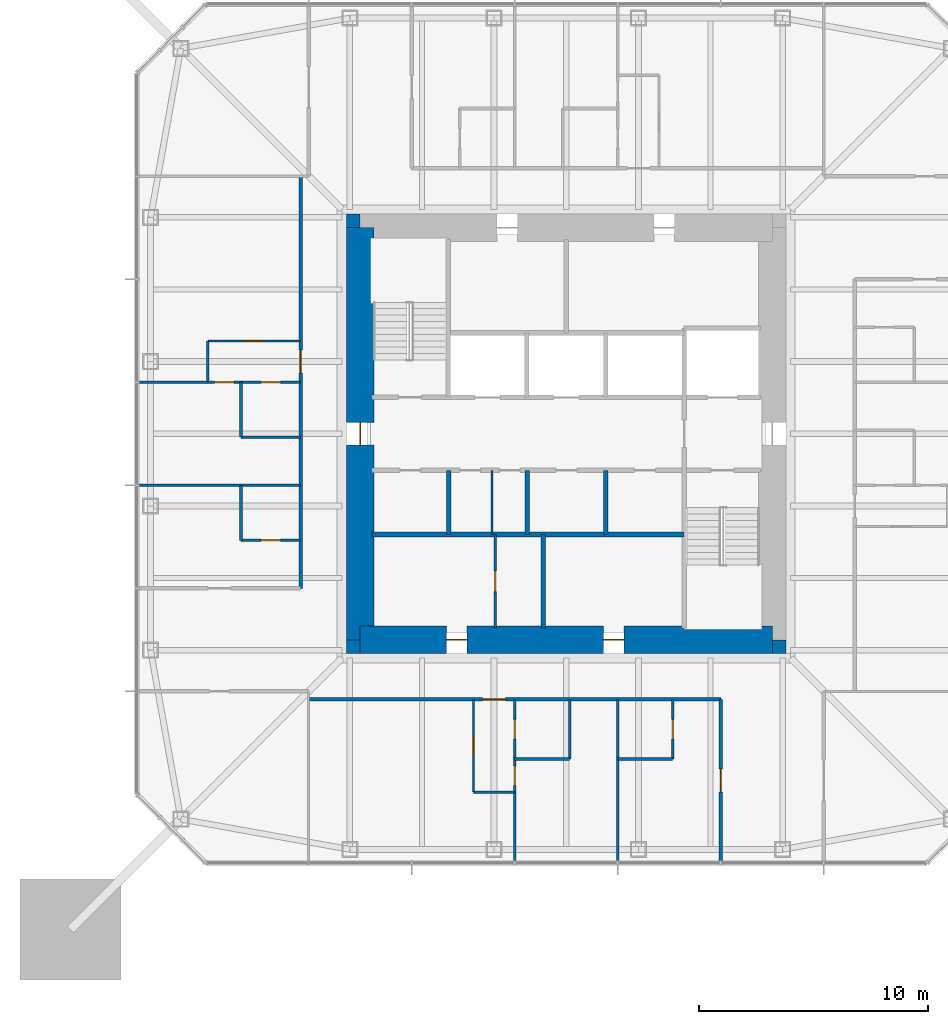
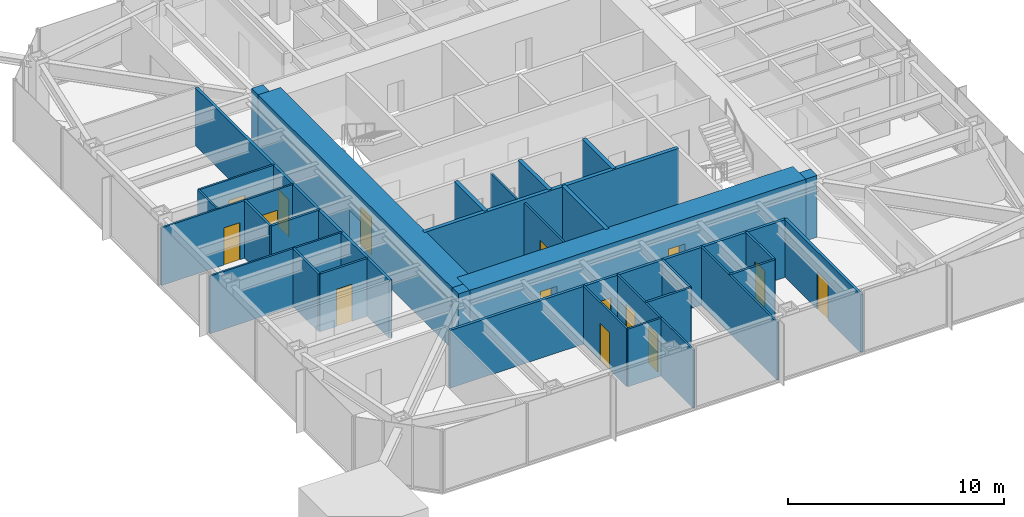
# One storey, part 6 of 11: 31 walls, 15 doors, 15 openings.
"""IFC4 building model written with IfcOpenShell, lengths in metres."""

from ifc_helpers import new_model, si_unit, direction, frame, frame_2d, origin, place, context, subcontext, project, spatial, rectangle, extrude, material, layer, layer_set, type_object, element, fill, save


model = new_model("IFC4")

# Units and contexts
model_context = context("Model", 3, precision=1e-05, world=origin(), true_north=direction((0.0, 1.0)))
body_context = subcontext(model_context, "Body", "Model", "MODEL_VIEW")
ifc_project = project(units=[si_unit("LENGTHUNIT", "METRE"), si_unit("AREAUNIT", "SQUARE_METRE"), si_unit("VOLUMEUNIT", "CUBIC_METRE"), si_unit("PLANEANGLEUNIT", "RADIAN"), si_unit("MASSUNIT", "GRAM", prefix="KILO")], contexts=[model_context])

# Site, building, storey
site_placement = place(None, origin())
site = spatial("IfcSite", under=ifc_project, at=site_placement, CompositionType="ELEMENT")
building_placement = place(site_placement, origin())
building = spatial("IfcBuilding", under=site, at=building_placement, Name="Iwan Alto Co-Living Towers", CompositionType="ELEMENT")
storey_placement = place(building_placement, frame((0.0, 0.0, 163.5)))
storey = spatial("IfcBuildingStorey", under=building, at=storey_placement, Name="L44", CompositionType="ELEMENT", Elevation=163.5)

# Wall, opening, door
ifc_material_1 = material(Name="Gypsum board")
ifc_layer_1 = layer(ifc_material_1, 0.02490234375, Name="Board", Category="Finish")
ifc_material_2 = material(Name="Steel ASTM A1003 ST33H cold-formed studs", Category="steel")
ifc_layer_2 = layer(ifc_material_2, 0.10009765625, Name="Studs", Category="Framing")
ifc_layer_3 = layer(ifc_material_1, 0.02490234375, Name="Board", Category="Finish")
ifc_layer_set_1 = layer_set([ifc_layer_1, ifc_layer_2, ifc_layer_3], Name="CORRIDOR WALL 150")
wall_type_1 = type_object("IfcWallType", Name="CORRIDOR WALL 150", PredefinedType="PARTITIONING", material=ifc_layer_set_1)
wall_1_placement = place(storey_placement, frame((-11.25, -11.60009765625, 0.0), z_axis=(0.0, 0.0, 1.0), x_axis=(1.0, 0.0, 0.0)))
wall_1 = element("IfcWall", 1, at=wall_1_placement, inside=storey, type_object=wall_type_1, Name="Partition L44", PredefinedType="PARTITIONING", context=body_context, shape_type="SweptSolid", body=[
    extrude(rectangle(XDim=18.0, YDim=0.14990234375, at=frame_2d((9.0, 0.0))), origin(), (0.0, 0.0, 1.0), 3.27001953125),
])
opening_1_placement = place(wall_1_placement, frame((7.60009765625, 0.0, 0.0)))
opening_1 = element("IfcOpeningElement", 2, at=opening_1_placement, cuts=wall_1, Name="Opening D3", PredefinedType="OPENING", context=body_context, shape_type="SweptSolid", body=[
    extrude(rectangle(XDim=1.0, YDim=2.10009765625, at=frame_2d((0.5, 1.050048828125))), frame((0.0, 0.0849609375, 0.0), z_axis=(0.0, -1.0, 0.0), x_axis=(1.0, 0.0, 0.0)), (0.0, 0.0, 1.0), 0.169921875),
])
ifc_material_3 = material(Name="Steel frame with timber leaf", Category="steel")
door_type_1 = type_object("IfcDoorType", Name="FLAT ENTRANCE DOOR FD30S 1000X2100", OperationType="SINGLE_SWING_LEFT", PredefinedType="DOOR", material=ifc_material_3)
door_1_placement = place(opening_1_placement, frame((1.0, 0.0, 0.0), z_axis=(0.0, 0.0, 1.0), x_axis=(-1.0, 0.0, 0.0)))
door_1 = element("IfcDoor", 3, at=door_1_placement, inside=storey, type_object=door_type_1, Name="Apartment foyer door L44", OperationType="SINGLE_SWING_RIGHT", OverallHeight=2.10009765625, OverallWidth=1.0, PredefinedType="DOOR", context=body_context, shape_type="SweptSolid", body=[
    extrude(rectangle(XDim=1.0, YDim=2.10009765625, at=frame_2d((0.5, 1.050048828125))), frame((0.0, 0.02490234375, 0.0), z_axis=(0.0, -1.0, 0.0), x_axis=(1.0, 0.0, 0.0)), (0.0, 0.0, 1.0), 0.050048828125),
])
fill(opening_1, door_1)

wall_2_placement = place(storey_placement, frame((6.75, -18.68994140625, 0.0), z_axis=(0.0, 0.0, 1.0), x_axis=(0.0, 1.0, 0.0)))
wall_2 = element("IfcWall", 4, at=wall_2_placement, inside=storey, type_object=wall_type_1, Name="Partition L44", PredefinedType="PARTITIONING", context=body_context, shape_type="SweptSolid", body=[
    extrude(rectangle(XDim=7.08984375, YDim=0.14990234375, at=frame_2d((3.544921875, 0.0))), origin(), (0.0, 0.0, 1.0), 3.27001953125),
])
opening_2_placement = place(wall_2_placement, frame((3.044921875, 0.0, 0.0)))
opening_2 = element("IfcOpeningElement", 5, at=opening_2_placement, cuts=wall_2, Name="Opening D3", PredefinedType="OPENING", context=body_context, shape_type="SweptSolid", body=[
    extrude(rectangle(XDim=1.0, YDim=2.10009765625, at=frame_2d((0.5, 1.050048828125))), frame((0.0, 0.0849609375, 0.0), z_axis=(0.0, -1.0, 0.0), x_axis=(1.0, 0.0, 0.0)), (0.0, 0.0, 1.0), 0.169921875),
])
door_2_placement = place(opening_2_placement, origin())
door_2 = element("IfcDoor", 6, at=door_2_placement, inside=storey, type_object=door_type_1, Name="Studio door L44", OperationType="SINGLE_SWING_RIGHT", OverallHeight=2.10009765625, OverallWidth=1.0, PredefinedType="DOOR", context=body_context, shape_type="SweptSolid", body=[
    extrude(rectangle(XDim=1.0, YDim=2.10009765625, at=frame_2d((0.5, 1.050048828125))), frame((0.0, 0.02490234375, 0.0), z_axis=(0.0, -1.0, 0.0), x_axis=(1.0, 0.0, 0.0)), (0.0, 0.0, 1.0), 0.050048828125),
])
fill(opening_2, door_2)

wall_3_placement = place(storey_placement, frame((-11.60009765625, -6.75, 0.0), z_axis=(0.0, 0.0, 1.0), x_axis=(0.0, 1.0, 0.0)))
wall_3 = element("IfcWall", 7, at=wall_3_placement, inside=storey, type_object=wall_type_1, Name="Partition L44", PredefinedType="PARTITIONING", context=body_context, shape_type="SweptSolid", body=[
    extrude(rectangle(XDim=18.0, YDim=0.14990234375, at=frame_2d((9.0, 0.0))), origin(), (0.0, 0.0, 1.0), 3.27001953125),
])
opening_3_placement = place(wall_3_placement, frame((9.39990234375, 0.0, 0.0)))
opening_3 = element("IfcOpeningElement", 8, at=opening_3_placement, cuts=wall_3, Name="Opening D3", PredefinedType="OPENING", context=body_context, shape_type="SweptSolid", body=[
    extrude(rectangle(XDim=1.0, YDim=2.10009765625, at=frame_2d((0.5, 1.050048828125))), frame((0.0, 0.0849609375, 0.0), z_axis=(0.0, -1.0, 0.0), x_axis=(1.0, 0.0, 0.0)), (0.0, 0.0, 1.0), 0.169921875),
])
door_3_placement = place(opening_3_placement, origin())
door_3 = element("IfcDoor", 9, at=door_3_placement, inside=storey, type_object=door_type_1, Name="Apartment foyer door L44", OperationType="SINGLE_SWING_LEFT", OverallHeight=2.10009765625, OverallWidth=1.0, PredefinedType="DOOR", context=body_context, shape_type="SweptSolid", body=[
    extrude(rectangle(XDim=1.0, YDim=2.10009765625, at=frame_2d((0.5, 1.050048828125))), frame((0.0, 0.02490234375, 0.0), z_axis=(0.0, -1.0, 0.0), x_axis=(1.0, 0.0, 0.0)), (0.0, 0.0, 1.0), 0.050048828125),
])
fill(opening_3, door_3)

# Walls
ifc_layer_4 = layer(ifc_material_1, 0.012451171875, Name="Board", Category="Finish")
ifc_layer_5 = layer(ifc_material_2, 0.074951171875, Name="Studs", Category="Framing")
ifc_layer_6 = layer(ifc_material_1, 0.012451171875, Name="Board", Category="Finish")
ifc_layer_set_2 = layer_set([ifc_layer_4, ifc_layer_5, ifc_layer_6], Name="PARTITION 100")
wall_type_2 = type_object("IfcWallType", Name="PARTITION 100", PredefinedType="PARTITIONING", material=ifc_layer_set_2)
wall_4_placement = place(storey_placement, frame((-4.050048828125, -15.64990234375, 0.0), z_axis=(0.0, 0.0, 1.0), x_axis=(1.0, 0.0, 0.0)))
element("IfcWall", 10, at=wall_4_placement, inside=storey, type_object=wall_type_2, Name="Partition L44", PredefinedType="PARTITIONING", context=body_context, shape_type="SweptSolid", body=[
    extrude(rectangle(XDim=1.800048828125, YDim=0.10009765625, at=frame_2d((0.89990234375, 0.0))), origin(), (0.0, 0.0, 1.0), 3.27001953125),
])
wall_5_placement = place(storey_placement, frame((-18.68994140625, -2.25, 0.0), z_axis=(0.0, 0.0, 1.0), x_axis=(1.0, 0.0, 0.0)))
element("IfcWall", 11, at=wall_5_placement, inside=storey, type_object=wall_type_2, Name="Partition L44", PredefinedType="PARTITIONING", context=body_context, shape_type="SweptSolid", body=[
    extrude(rectangle(XDim=7.08984375, YDim=0.10009765625, at=frame_2d((3.544921875, 0.0))), origin(), (0.0, 0.0, 1.0), 3.27001953125),
])

# Wall, openings, doors
wall_6_placement = place(storey_placement, frame((-18.68994140625, 2.25, 0.0), z_axis=(0.0, 0.0, 1.0), x_axis=(1.0, 0.0, 0.0)))
wall_6 = element("IfcWall", 12, at=wall_6_placement, inside=storey, type_object=wall_type_2, Name="Partition L44", PredefinedType="PARTITIONING", context=body_context, shape_type="SweptSolid", body=[
    extrude(rectangle(XDim=7.08984375, YDim=0.10009765625, at=frame_2d((3.544921875, 0.0))), origin(), (0.0, 0.0, 1.0), 3.27001953125),
])
opening_4_placement = place(wall_6_placement, frame((3.340087890625, 0.0, 0.0)))
opening_4 = element("IfcOpeningElement", 13, at=opening_4_placement, cuts=wall_6, Name="Opening D2", PredefinedType="OPENING", context=body_context, shape_type="SweptSolid", body=[
    extrude(rectangle(XDim=0.85009765625, YDim=2.10009765625, at=frame_2d((0.425048828125, 1.050048828125))), frame((0.0, 0.06005859375, 0.0), z_axis=(0.0, -1.0, 0.0), x_axis=(1.0, 0.0, 0.0)), (0.0, 0.0, 1.0), 0.1201171875),
])
opening_5_placement = place(wall_6_placement, frame((5.364990234375, 0.0, 0.0)))
opening_5 = element("IfcOpeningElement", 14, at=opening_5_placement, cuts=wall_6, Name="Opening D2", PredefinedType="OPENING", context=body_context, shape_type="SweptSolid", body=[
    extrude(rectangle(XDim=0.85009765625, YDim=2.10009765625, at=frame_2d((0.425048828125, 1.050048828125))), frame((0.0, 0.06005859375, 0.0), z_axis=(0.0, -1.0, 0.0), x_axis=(1.0, 0.0, 0.0)), (0.0, 0.0, 1.0), 0.1201171875),
])
ifc_material_4 = material(Name="Timber leaf in steel frame", Category="steel")
door_type_2 = type_object("IfcDoorType", Name="ROOM DOOR 850X2100", OperationType="SINGLE_SWING_LEFT", PredefinedType="DOOR", material=ifc_material_4)
door_4_placement = place(opening_4_placement, frame((0.85009765625, 0.0, 0.0), z_axis=(0.0, 0.0, 1.0), x_axis=(-1.0, 0.0, 0.0)))
door_4 = element("IfcDoor", 15, at=door_4_placement, inside=storey, type_object=door_type_2, Name="Bedroom door L44", OperationType="SINGLE_SWING_LEFT", OverallHeight=2.10009765625, OverallWidth=0.85009765625, PredefinedType="DOOR", context=body_context, shape_type="SweptSolid", body=[
    extrude(rectangle(XDim=0.85009765625, YDim=2.10009765625, at=frame_2d((0.425048828125, 1.050048828125))), frame((0.0, 0.02490234375, 0.0), z_axis=(0.0, -1.0, 0.0), x_axis=(1.0, 0.0, 0.0)), (0.0, 0.0, 1.0), 0.050048828125),
])
fill(opening_4, door_4)
door_5_placement = place(opening_5_placement, frame((0.85009765625, 0.0, 0.0), z_axis=(0.0, 0.0, 1.0), x_axis=(-1.0, 0.0, 0.0)))
door_5 = element("IfcDoor", 16, at=door_5_placement, inside=storey, type_object=door_type_2, Name="Bathroom door L44", OperationType="SINGLE_SWING_RIGHT", OverallHeight=2.10009765625, OverallWidth=0.85009765625, PredefinedType="DOOR", context=body_context, shape_type="SweptSolid", body=[
    extrude(rectangle(XDim=0.85009765625, YDim=2.10009765625, at=frame_2d((0.425048828125, 1.050048828125))), frame((0.0, 0.02490234375, 0.0), z_axis=(0.0, -1.0, 0.0), x_axis=(1.0, 0.0, 0.0)), (0.0, 0.0, 1.0), 0.050048828125),
])
fill(opening_5, door_5)

# Wall, opening, door
wall_7_placement = place(storey_placement, frame((-15.64990234375, 4.050048828125, 0.0), z_axis=(0.0, 0.0, 1.0), x_axis=(1.0, 0.0, 0.0)))
wall_7 = element("IfcWall", 17, at=wall_7_placement, inside=storey, type_object=wall_type_2, Name="Partition L44", PredefinedType="PARTITIONING", context=body_context, shape_type="SweptSolid", body=[
    extrude(rectangle(XDim=4.0498046875, YDim=0.10009765625, at=frame_2d((2.02490234375, 0.0))), origin(), (0.0, 0.0, 1.0), 3.27001953125),
])
opening_6_placement = place(wall_7_placement, frame((1.60009765625, 0.0, 0.0)))
opening_6 = element("IfcOpeningElement", 18, at=opening_6_placement, cuts=wall_7, Name="Opening D2", PredefinedType="OPENING", context=body_context, shape_type="SweptSolid", body=[
    extrude(rectangle(XDim=0.85009765625, YDim=2.10009765625, at=frame_2d((0.425048828125, 1.050048828125))), frame((0.0, 0.06005859375, 0.0), z_axis=(0.0, -1.0, 0.0), x_axis=(1.0, 0.0, 0.0)), (0.0, 0.0, 1.0), 0.1201171875),
])
door_6_placement = place(opening_6_placement, origin())
door_6 = element("IfcDoor", 19, at=door_6_placement, inside=storey, type_object=door_type_2, Name="Apartment foyer door L44", OperationType="SINGLE_SWING_RIGHT", OverallHeight=2.10009765625, OverallWidth=0.85009765625, PredefinedType="DOOR", context=body_context, shape_type="SweptSolid", body=[
    extrude(rectangle(XDim=0.85009765625, YDim=2.10009765625, at=frame_2d((0.425048828125, 1.050048828125))), frame((0.0, 0.02490234375, 0.0), z_axis=(0.0, -1.0, 0.0), x_axis=(1.0, 0.0, 0.0)), (0.0, 0.0, 1.0), 0.050048828125),
])
fill(opening_6, door_6)

# Wall
wall_8_placement = place(storey_placement, frame((2.25, -18.68994140625, 0.0), z_axis=(0.0, 0.0, 1.0), x_axis=(0.0, 1.0, 0.0)))
element("IfcWall", 20, at=wall_8_placement, inside=storey, type_object=wall_type_2, Name="Partition L44", PredefinedType="PARTITIONING", context=body_context, shape_type="SweptSolid", body=[
    extrude(rectangle(XDim=7.08984375, YDim=0.10009765625, at=frame_2d((3.544921875, 0.0))), origin(), (0.0, 0.0, 1.0), 3.27001953125),
])

# Wall, openings, doors
wall_9_placement = place(storey_placement, frame((-2.25, -18.68994140625, 0.0), z_axis=(0.0, 0.0, 1.0), x_axis=(0.0, 1.0, 0.0)))
wall_9 = element("IfcWall", 21, at=wall_9_placement, inside=storey, type_object=wall_type_2, Name="Partition L44", PredefinedType="PARTITIONING", context=body_context, shape_type="SweptSolid", body=[
    extrude(rectangle(XDim=7.08984375, YDim=0.10009765625, at=frame_2d((3.544921875, 0.0))), origin(), (0.0, 0.0, 1.0), 3.27001953125),
])
opening_7_placement = place(wall_9_placement, frame((3.340087890625, 0.0, 0.0)))
opening_7 = element("IfcOpeningElement", 22, at=opening_7_placement, cuts=wall_9, Name="Opening D2", PredefinedType="OPENING", context=body_context, shape_type="SweptSolid", body=[
    extrude(rectangle(XDim=0.85009765625, YDim=2.10009765625, at=frame_2d((0.425048828125, 1.050048828125))), frame((0.0, 0.06005859375, 0.0), z_axis=(0.0, -1.0, 0.0), x_axis=(1.0, 0.0, 0.0)), (0.0, 0.0, 1.0), 0.1201171875),
])
opening_8_placement = place(wall_9_placement, frame((5.364990234375, 0.0, 0.0)))
opening_8 = element("IfcOpeningElement", 23, at=opening_8_placement, cuts=wall_9, Name="Opening D2", PredefinedType="OPENING", context=body_context, shape_type="SweptSolid", body=[
    extrude(rectangle(XDim=0.85009765625, YDim=2.10009765625, at=frame_2d((0.425048828125, 1.050048828125))), frame((0.0, 0.06005859375, 0.0), z_axis=(0.0, -1.0, 0.0), x_axis=(1.0, 0.0, 0.0)), (0.0, 0.0, 1.0), 0.1201171875),
])
door_7_placement = place(opening_7_placement, frame((0.85009765625, 0.0, 0.0), z_axis=(0.0, 0.0, 1.0), x_axis=(-1.0, 0.0, 0.0)))
door_7 = element("IfcDoor", 24, at=door_7_placement, inside=storey, type_object=door_type_2, Name="Bedroom door L44", OperationType="SINGLE_SWING_LEFT", OverallHeight=2.10009765625, OverallWidth=0.85009765625, PredefinedType="DOOR", context=body_context, shape_type="SweptSolid", body=[
    extrude(rectangle(XDim=0.85009765625, YDim=2.10009765625, at=frame_2d((0.425048828125, 1.050048828125))), frame((0.0, 0.02490234375, 0.0), z_axis=(0.0, -1.0, 0.0), x_axis=(1.0, 0.0, 0.0)), (0.0, 0.0, 1.0), 0.050048828125),
])
fill(opening_7, door_7)
door_8_placement = place(opening_8_placement, frame((0.85009765625, 0.0, 0.0), z_axis=(0.0, 0.0, 1.0), x_axis=(-1.0, 0.0, 0.0)))
door_8 = element("IfcDoor", 25, at=door_8_placement, inside=storey, type_object=door_type_2, Name="Bathroom door L44", OperationType="SINGLE_SWING_RIGHT", OverallHeight=2.10009765625, OverallWidth=0.85009765625, PredefinedType="DOOR", context=body_context, shape_type="SweptSolid", body=[
    extrude(rectangle(XDim=0.85009765625, YDim=2.10009765625, at=frame_2d((0.425048828125, 1.050048828125))), frame((0.0, 0.02490234375, 0.0), z_axis=(0.0, -1.0, 0.0), x_axis=(1.0, 0.0, 0.0)), (0.0, 0.0, 1.0), 0.050048828125),
])
fill(opening_8, door_8)

# Wall, opening, door
wall_10_placement = place(storey_placement, frame((-3.10009765625, -8.489990234375, 0.0), z_axis=(0.0, 0.0, 1.0), x_axis=(0.0, 1.0, 0.0)))
wall_10 = element("IfcWall", 26, at=wall_10_placement, inside=storey, type_object=wall_type_2, Name="Partition L44", PredefinedType="PARTITIONING", context=body_context, shape_type="SweptSolid", body=[
    extrude(rectangle(XDim=4.090087890625, YDim=0.10009765625, at=frame_2d((2.044921875, 0.0))), origin(), (0.0, 0.0, 1.0), 3.300048828125),
])
opening_9_placement = place(wall_10_placement, frame((1.594970703125, 0.0, 0.0)))
opening_9 = element("IfcOpeningElement", 27, at=opening_9_placement, cuts=wall_10, Name="Opening D16", PredefinedType="OPENING", context=body_context, shape_type="SweptSolid", body=[
    extrude(rectangle(XDim=0.89990234375, YDim=2.10009765625, at=frame_2d((0.449951171875, 1.050048828125))), frame((0.0, 0.06005859375, 0.0), z_axis=(0.0, -1.0, 0.0), x_axis=(1.0, 0.0, 0.0)), (0.0, 0.0, 1.0), 0.1201171875),
])
ifc_material_5 = material(Name="Timber leaf in steel frame", Category="steel")
door_type_3 = type_object("IfcDoorType", Name="CUPBOARD SLIDING DOOR 900X2100", OperationType="SLIDING_TO_LEFT", PredefinedType="DOOR", material=ifc_material_5)
door_9_placement = place(opening_9_placement, origin())
door_9 = element("IfcDoor", 28, at=door_9_placement, inside=storey, type_object=door_type_3, Name="Cleaner's store door L44", OperationType="SLIDING_TO_LEFT", OverallHeight=2.10009765625, OverallWidth=0.89990234375, PredefinedType="DOOR", context=body_context, shape_type="SweptSolid", body=[
    extrude(rectangle(XDim=0.89990234375, YDim=2.10009765625, at=frame_2d((0.449951171875, 1.050048828125))), frame((0.0, 0.02490234375, 0.0), z_axis=(0.0, -1.0, 0.0), x_axis=(1.0, 0.0, 0.0)), (0.0, 0.0, 1.0), 0.050048828125),
])
fill(opening_9, door_9)

# Wall
wall_11_placement = place(storey_placement, frame((-3.240966796875, -4.39990234375, 0.0), z_axis=(0.0, 0.0, 1.0), x_axis=(0.0, 1.0, 0.0)))
element("IfcWall", 29, at=wall_11_placement, inside=storey, type_object=wall_type_2, Name="Partition L44", PredefinedType="PARTITIONING", context=body_context, shape_type="SweptSolid", body=[
    extrude(rectangle(XDim=2.7998046875, YDim=0.10009765625, at=frame_2d((1.39990234375, 0.0))), origin(), (0.0, 0.0, 1.0), 3.300048828125),
])

# Wall, opening, door
wall_12_placement = place(storey_placement, frame((-4.050048828125, -15.64990234375, 0.0), z_axis=(0.0, 0.0, 1.0), x_axis=(0.0, 1.0, 0.0)))
wall_12 = element("IfcWall", 30, at=wall_12_placement, inside=storey, type_object=wall_type_2, Name="Partition L44", PredefinedType="PARTITIONING", context=body_context, shape_type="SweptSolid", body=[
    extrude(rectangle(XDim=4.0498046875, YDim=0.10009765625, at=frame_2d((2.02490234375, 0.0))), origin(), (0.0, 0.0, 1.0), 3.27001953125),
])
opening_10_placement = place(wall_12_placement, frame((1.60009765625, 0.0, 0.0)))
opening_10 = element("IfcOpeningElement", 31, at=opening_10_placement, cuts=wall_12, Name="Opening D2", PredefinedType="OPENING", context=body_context, shape_type="SweptSolid", body=[
    extrude(rectangle(XDim=0.85009765625, YDim=2.10009765625, at=frame_2d((0.425048828125, 1.050048828125))), frame((0.0, 0.06005859375, 0.0), z_axis=(0.0, -1.0, 0.0), x_axis=(1.0, 0.0, 0.0)), (0.0, 0.0, 1.0), 0.1201171875),
])
door_10_placement = place(opening_10_placement, origin())
door_10 = element("IfcDoor", 32, at=door_10_placement, inside=storey, type_object=door_type_2, Name="Apartment foyer door L44", OperationType="SINGLE_SWING_RIGHT", OverallHeight=2.10009765625, OverallWidth=0.85009765625, PredefinedType="DOOR", context=body_context, shape_type="SweptSolid", body=[
    extrude(rectangle(XDim=0.85009765625, YDim=2.10009765625, at=frame_2d((0.425048828125, 1.050048828125))), frame((0.0, 0.02490234375, 0.0), z_axis=(0.0, -1.0, 0.0), x_axis=(1.0, 0.0, 0.0)), (0.0, 0.0, 1.0), 0.050048828125),
])
fill(opening_10, door_10)

# Walls
wall_13_placement = place(storey_placement, frame((-15.64990234375, 2.25, 0.0), z_axis=(0.0, 0.0, 1.0), x_axis=(0.0, 1.0, 0.0)))
element("IfcWall", 33, at=wall_13_placement, inside=storey, type_object=wall_type_2, Name="Partition L44", PredefinedType="PARTITIONING", context=body_context, shape_type="SweptSolid", body=[
    extrude(rectangle(XDim=1.800048828125, YDim=0.10009765625, at=frame_2d((0.89990234375, 0.0))), origin(), (0.0, 0.0, 1.0), 3.27001953125),
])
ifc_material_6 = material(Name="Concrete f'c 70 MPa", Category="concrete")
ifc_layer_7 = layer(ifc_material_6, 0.199951171875)
ifc_layer_set_3 = layer_set([ifc_layer_7], Name="SHAFT WALL 200")
wall_type_3 = type_object("IfcWallType", Name="SHAFT WALL 200", PredefinedType="SOLIDWALL", material=ifc_layer_set_3)
wall_14_placement = place(storey_placement, frame((-8.489990234375, -4.39990234375, 0.0), z_axis=(0.0, 0.0, 1.0), x_axis=(1.0, 0.0, 0.0)))
element("IfcWall", 34, at=wall_14_placement, inside=storey, type_object=wall_type_3, Name="Shaft wall L44", PredefinedType="SOLIDWALL", context=body_context, shape_type="SweptSolid", body=[
    extrude(rectangle(XDim=13.639892578125, YDim=0.199951171875, at=frame_2d((6.81982421875, 0.0))), origin(), (0.0, 0.0, 1.0), 3.5),
])
wall_15_placement = place(storey_placement, frame((1.72509765625, -4.39990234375, 0.0), z_axis=(0.0, 0.0, 1.0), x_axis=(0.0, 1.0, 0.0)))
element("IfcWall", 35, at=wall_15_placement, inside=storey, type_object=wall_type_3, Name="Shaft wall L44", PredefinedType="SOLIDWALL", context=body_context, shape_type="SweptSolid", body=[
    extrude(rectangle(XDim=2.7998046875, YDim=0.199951171875, at=frame_2d((1.39990234375, 0.0))), origin(), (0.0, 0.0, 1.0), 3.5),
])
wall_16_placement = place(storey_placement, frame((-1.0, -8.489990234375, 0.0), z_axis=(0.0, 0.0, 1.0), x_axis=(0.0, 1.0, 0.0)))
element("IfcWall", 36, at=wall_16_placement, inside=storey, type_object=wall_type_3, Name="Shaft wall L44", PredefinedType="SOLIDWALL", context=body_context, shape_type="SweptSolid", body=[
    extrude(rectangle(XDim=4.090087890625, YDim=0.199951171875, at=frame_2d((2.044921875, 0.0))), origin(), (0.0, 0.0, 1.0), 3.5),
])
for number, where, z_axis, x_axis, name in (
    (37, (-1.699951171875, -4.39990234375, 0.0), (0.0, 0.0, 1.0), (0.0, 1.0, 0.0), "Shaft wall L44"),
    (38, (-5.125, -4.39990234375, 0.0), (0.0, 0.0, 1.0), (0.0, 1.0, 0.0), "Shaft wall L44"),
):
    element("IfcWall", number, at=place(storey_placement, frame(where, z_axis=z_axis, x_axis=x_axis)), inside=storey, type_object=wall_type_3, Name=name, PredefinedType="SOLIDWALL", context=body_context, shape_type="SweptSolid", body=[
        extrude(rectangle(XDim=2.7998046875, YDim=0.199951171875, at=frame_2d((1.39990234375, 0.0))), origin(), (0.0, 0.0, 1.0), 3.5),
    ])
ifc_material_7 = material(Name="Concrete f'c 70 MPa", Category="concrete")
ifc_layer_8 = layer(ifc_material_7, 0.60009765625)
ifc_layer_set_4 = layer_set([ifc_layer_8], Name="T1 CORE CORNER FILL 600")
wall_type_4 = type_object("IfcWallType", Name="T1 CORE CORNER FILL 600", PredefinedType="SOLIDWALL", material=ifc_layer_set_4)
for number, where, z_axis, x_axis, name in (
    (39, (-9.60009765625, -9.300048828125, 0.0), (0.0, 0.0, 1.0), (1.0, 0.0, 0.0), "T1 core corner SW L44"),
    (40, (9.0, -9.300048828125, 0.0), (0.0, 0.0, 1.0), (1.0, 0.0, 0.0), "T1 core corner SE L44"),
    (41, (-9.60009765625, 9.300048828125, 0.0), (0.0, 0.0, 1.0), (1.0, 0.0, 0.0), "T1 core corner NW L44"),
):
    element("IfcWall", number, at=place(storey_placement, frame(where, z_axis=z_axis, x_axis=x_axis)), inside=storey, type_object=wall_type_4, Name=name, PredefinedType="SOLIDWALL", context=body_context, shape_type="SweptSolid", body=[
        extrude(rectangle(XDim=0.60009765625, YDim=0.60009765625, at=frame_2d((0.300048828125, 0.0))), origin(), (0.0, 0.0, 1.0), 3.5),
    ])

# Wall, openings, doors
ifc_material_8 = material(Name="Concrete f'c 70 MPa", Category="concrete")
ifc_layer_9 = layer(ifc_material_8, 1.199951171875)
ifc_layer_set_5 = layer_set([ifc_layer_9], Name="T1 CORE WALL 1200")
wall_type_5 = type_object("IfcWallType", Name="T1 CORE WALL 1200", PredefinedType="SHEAR", material=ifc_layer_set_5)
wall_17_placement = place(storey_placement, frame((-9.0, -9.0, 0.0), z_axis=(0.0, 0.0, 1.0), x_axis=(1.0, 0.0, 0.0)))
wall_17 = element("IfcWall", 42, at=wall_17_placement, inside=storey, type_object=wall_type_5, Name="T1 core wall S L44", PredefinedType="SHEAR", context=body_context, shape_type="SweptSolid", body=[
    extrude(rectangle(XDim=18.0, YDim=1.199951171875, at=frame_2d((9.0, 0.0))), origin(), (0.0, 0.0, 1.0), 3.5),
])
opening_11_placement = place(wall_17_placement, frame((3.77490234375, 0.0, 0.0)))
opening_11 = element("IfcOpeningElement", 43, at=opening_11_placement, cuts=wall_17, Name="Opening D8", PredefinedType="OPENING", context=body_context, shape_type="SweptSolid", body=[
    extrude(rectangle(XDim=0.89990234375, YDim=2.10009765625, at=frame_2d((0.449951171875, 1.050048828125))), frame((0.0, 0.60986328125, 0.0), z_axis=(0.0, -1.0, 0.0), x_axis=(1.0, 0.0, 0.0)), (0.0, 0.0, 1.0), 1.219970703125),
])
opening_12_placement = place(wall_17_placement, frame((10.625, 0.0, 0.0)))
opening_12 = element("IfcOpeningElement", 44, at=opening_12_placement, cuts=wall_17, Name="Opening D8", PredefinedType="OPENING", context=body_context, shape_type="SweptSolid", body=[
    extrude(rectangle(XDim=0.89990234375, YDim=2.10009765625, at=frame_2d((0.449951171875, 1.050048828125))), frame((0.0, 0.60986328125, 0.0), z_axis=(0.0, -1.0, 0.0), x_axis=(1.0, 0.0, 0.0)), (0.0, 0.0, 1.0), 1.219970703125),
])
ifc_material_9 = material(Name="Steel frame with timber leaf", Category="steel")
door_type_4 = type_object("IfcDoorType", Name="RISER DOOR FD120 900X2100", OperationType="SINGLE_SWING_LEFT", PredefinedType="DOOR", material=ifc_material_9)
door_11_placement = place(opening_11_placement, origin())
door_11 = element("IfcDoor", 45, at=door_11_placement, inside=storey, type_object=door_type_4, Name="Refuse room core door L44", OperationType="SINGLE_SWING_RIGHT", OverallHeight=2.10009765625, OverallWidth=0.89990234375, PredefinedType="DOOR", context=body_context, shape_type="SweptSolid", body=[
    extrude(rectangle(XDim=0.89990234375, YDim=2.10009765625, at=frame_2d((0.449951171875, 1.050048828125))), frame((0.0, 0.02490234375, 0.0), z_axis=(0.0, -1.0, 0.0), x_axis=(1.0, 0.0, 0.0)), (0.0, 0.0, 1.0), 0.050048828125),
])
fill(opening_11, door_11)
door_12_placement = place(opening_12_placement, origin())
door_12 = element("IfcDoor", 46, at=door_12_placement, inside=storey, type_object=door_type_4, Name="Telecom riser core door L44", OperationType="SINGLE_SWING_LEFT", OverallHeight=2.10009765625, OverallWidth=0.89990234375, PredefinedType="DOOR", context=body_context, shape_type="SweptSolid", body=[
    extrude(rectangle(XDim=0.89990234375, YDim=2.10009765625, at=frame_2d((0.449951171875, 1.050048828125))), frame((0.0, 0.02490234375, 0.0), z_axis=(0.0, -1.0, 0.0), x_axis=(1.0, 0.0, 0.0)), (0.0, 0.0, 1.0), 0.050048828125),
])
fill(opening_12, door_12)

# Wall, opening, door
wall_18_placement = place(storey_placement, frame((-9.0, 9.0, 0.0), z_axis=(0.0, 0.0, 1.0), x_axis=(0.0, -1.0, 0.0)))
wall_18 = element("IfcWall", 47, at=wall_18_placement, inside=storey, type_object=wall_type_5, Name="T1 core wall W L44", PredefinedType="SHEAR", context=body_context, shape_type="SweptSolid", body=[
    extrude(rectangle(XDim=18.0, YDim=1.199951171875, at=frame_2d((9.0, 0.0))), origin(), (0.0, 0.0, 1.0), 3.5),
])
opening_13_placement = place(wall_18_placement, frame((8.5, 0.0, 0.0)))
opening_13 = element("IfcOpeningElement", 48, at=opening_13_placement, cuts=wall_18, Name="Opening D7", PredefinedType="OPENING", context=body_context, shape_type="SweptSolid", body=[
    extrude(rectangle(XDim=1.0, YDim=2.10009765625, at=frame_2d((0.5, 1.050048828125))), frame((0.0, 0.60986328125, 0.0), z_axis=(0.0, -1.0, 0.0), x_axis=(1.0, 0.0, 0.0)), (0.0, 0.0, 1.0), 1.219970703125),
])
ifc_material_10 = material(Name="Steel frame with timber leaf", Category="steel")
door_type_5 = type_object("IfcDoorType", Name="CORE DOOR FD120S 1000X2100", OperationType="SINGLE_SWING_LEFT", PredefinedType="DOOR", material=ifc_material_10)
door_13_placement = place(opening_13_placement, origin())
door_13 = element("IfcDoor", 49, at=door_13_placement, inside=storey, type_object=door_type_5, Name="Lift lobby core door L44", OperationType="SINGLE_SWING_RIGHT", OverallHeight=2.10009765625, OverallWidth=1.0, PredefinedType="DOOR", context=body_context, shape_type="SweptSolid", body=[
    extrude(rectangle(XDim=1.0, YDim=2.10009765625, at=frame_2d((0.5, 1.050048828125))), frame((0.0, 0.02490234375, 0.0), z_axis=(0.0, -1.0, 0.0), x_axis=(1.0, 0.0, 0.0)), (0.0, 0.0, 1.0), 0.050048828125),
])
fill(opening_13, door_13)

# Walls
ifc_material_11 = material(Name="Cement board")
ifc_layer_10 = layer(ifc_material_11, 0.012451171875, Name="Board", Category="Finish")
ifc_layer_11 = layer(ifc_material_2, 0.094970703125, Name="Studs", Category="Framing")
ifc_layer_12 = layer(ifc_material_11, 0.012451171875, Name="Board", Category="Finish")
ifc_layer_set_6 = layer_set([ifc_layer_10, ifc_layer_11, ifc_layer_12], Name="WET AREA PARTITION 120")
wall_type_6 = type_object("IfcWallType", Name="WET AREA PARTITION 120", PredefinedType="PARTITIONING", material=ifc_layer_set_6)
for number, where, z_axis, x_axis, name in (
    (50, (-2.25, -14.199951171875, 0.0), (0.0, 0.0, 1.0), (1.0, 0.0, 0.0), "Partition L44"),
    (51, (2.25, -14.199951171875, 0.0), (0.0, 0.0, 1.0), (1.0, 0.0, 0.0), "Partition L44"),
):
    element("IfcWall", number, at=place(storey_placement, frame(where, z_axis=z_axis, x_axis=x_axis)), inside=storey, type_object=wall_type_6, Name=name, PredefinedType="PARTITIONING", context=body_context, shape_type="SweptSolid", body=[
        extrude(rectangle(XDim=2.39990234375, YDim=0.1201171875, at=frame_2d((1.199951171875, 0.0))), origin(), (0.0, 0.0, 1.0), 3.27001953125),
    ])

# Wall, opening, door
wall_19_placement = place(storey_placement, frame((-14.199951171875, -4.64990234375, 0.0), z_axis=(0.0, 0.0, 1.0), x_axis=(1.0, 0.0, 0.0)))
wall_19 = element("IfcWall", 52, at=wall_19_placement, inside=storey, type_object=wall_type_6, Name="Partition L44", PredefinedType="PARTITIONING", context=body_context, shape_type="SweptSolid", body=[
    extrude(rectangle(XDim=2.599853515625, YDim=0.1201171875, at=frame_2d((1.2998046875, 0.0))), origin(), (0.0, 0.0, 1.0), 3.27001953125),
])
opening_14_placement = place(wall_19_placement, frame((0.875, 0.0, 0.0)))
opening_14 = element("IfcOpeningElement", 53, at=opening_14_placement, cuts=wall_19, Name="Opening D2", PredefinedType="OPENING", context=body_context, shape_type="SweptSolid", body=[
    extrude(rectangle(XDim=0.85009765625, YDim=2.10009765625, at=frame_2d((0.425048828125, 1.050048828125))), frame((0.0, 0.070068359375, 0.0), z_axis=(0.0, -1.0, 0.0), x_axis=(1.0, 0.0, 0.0)), (0.0, 0.0, 1.0), 0.14013671875),
])
door_14_placement = place(opening_14_placement, frame((0.85009765625, 0.0, 0.0), z_axis=(0.0, 0.0, 1.0), x_axis=(-1.0, 0.0, 0.0)))
door_14 = element("IfcDoor", 54, at=door_14_placement, inside=storey, type_object=door_type_2, Name="En-suite shower room door L44", OperationType="SINGLE_SWING_LEFT", OverallHeight=2.10009765625, OverallWidth=0.85009765625, PredefinedType="DOOR", context=body_context, shape_type="SweptSolid", body=[
    extrude(rectangle(XDim=0.85009765625, YDim=2.10009765625, at=frame_2d((0.425048828125, 1.050048828125))), frame((0.0, 0.02490234375, 0.0), z_axis=(0.0, -1.0, 0.0), x_axis=(1.0, 0.0, 0.0)), (0.0, 0.0, 1.0), 0.050048828125),
])
fill(opening_14, door_14)

# Wall
wall_20_placement = place(storey_placement, frame((-14.199951171875, -0.14990234375, 0.0), z_axis=(0.0, 0.0, 1.0), x_axis=(1.0, 0.0, 0.0)))
element("IfcWall", 55, at=wall_20_placement, inside=storey, type_object=wall_type_6, Name="Partition L44", PredefinedType="PARTITIONING", context=body_context, shape_type="SweptSolid", body=[
    extrude(rectangle(XDim=2.599853515625, YDim=0.1201171875, at=frame_2d((1.2998046875, 0.0))), origin(), (0.0, 0.0, 1.0), 3.27001953125),
])

# Wall, opening, door
wall_21_placement = place(storey_placement, frame((4.64990234375, -14.199951171875, 0.0), z_axis=(0.0, 0.0, 1.0), x_axis=(0.0, 1.0, 0.0)))
wall_21 = element("IfcWall", 56, at=wall_21_placement, inside=storey, type_object=wall_type_6, Name="Partition L44", PredefinedType="PARTITIONING", context=body_context, shape_type="SweptSolid", body=[
    extrude(rectangle(XDim=2.599853515625, YDim=0.1201171875, at=frame_2d((1.2998046875, 0.0))), origin(), (0.0, 0.0, 1.0), 3.27001953125),
])
opening_15_placement = place(wall_21_placement, frame((0.875, 0.0, 0.0)))
opening_15 = element("IfcOpeningElement", 57, at=opening_15_placement, cuts=wall_21, Name="Opening D2", PredefinedType="OPENING", context=body_context, shape_type="SweptSolid", body=[
    extrude(rectangle(XDim=0.85009765625, YDim=2.10009765625, at=frame_2d((0.425048828125, 1.050048828125))), frame((0.0, 0.070068359375, 0.0), z_axis=(0.0, -1.0, 0.0), x_axis=(1.0, 0.0, 0.0)), (0.0, 0.0, 1.0), 0.14013671875),
])
door_15_placement = place(opening_15_placement, frame((0.85009765625, 0.0, 0.0), z_axis=(0.0, 0.0, 1.0), x_axis=(-1.0, 0.0, 0.0)))
door_15 = element("IfcDoor", 58, at=door_15_placement, inside=storey, type_object=door_type_2, Name="En-suite shower room door L44", OperationType="SINGLE_SWING_LEFT", OverallHeight=2.10009765625, OverallWidth=0.85009765625, PredefinedType="DOOR", context=body_context, shape_type="SweptSolid", body=[
    extrude(rectangle(XDim=0.85009765625, YDim=2.10009765625, at=frame_2d((0.425048828125, 1.050048828125))), frame((0.0, 0.02490234375, 0.0), z_axis=(0.0, -1.0, 0.0), x_axis=(1.0, 0.0, 0.0)), (0.0, 0.0, 1.0), 0.050048828125),
])
fill(opening_15, door_15)

# Walls
wall_22_placement = place(storey_placement, frame((0.14990234375, -14.199951171875, 0.0), z_axis=(0.0, 0.0, 1.0), x_axis=(0.0, 1.0, 0.0)))
element("IfcWall", 59, at=wall_22_placement, inside=storey, type_object=wall_type_6, Name="Partition L44", PredefinedType="PARTITIONING", context=body_context, shape_type="SweptSolid", body=[
    extrude(rectangle(XDim=2.599853515625, YDim=0.1201171875, at=frame_2d((1.2998046875, 0.0))), origin(), (0.0, 0.0, 1.0), 3.27001953125),
])
for number, where, z_axis, x_axis, name in (
    (60, (-14.199951171875, -4.64990234375, 0.0), (0.0, 0.0, 1.0), (0.0, 1.0, 0.0), "Partition L44"),
    (61, (-14.199951171875, -0.14990234375, 0.0), (0.0, 0.0, 1.0), (0.0, 1.0, 0.0), "Partition L44"),
):
    element("IfcWall", number, at=place(storey_placement, frame(where, z_axis=z_axis, x_axis=x_axis)), inside=storey, type_object=wall_type_6, Name=name, PredefinedType="PARTITIONING", context=body_context, shape_type="SweptSolid", body=[
        extrude(rectangle(XDim=2.39990234375, YDim=0.1201171875, at=frame_2d((1.199951171875, 0.0))), origin(), (0.0, 0.0, 1.0), 3.27001953125),
    ])

save(model, "model.ifc")
